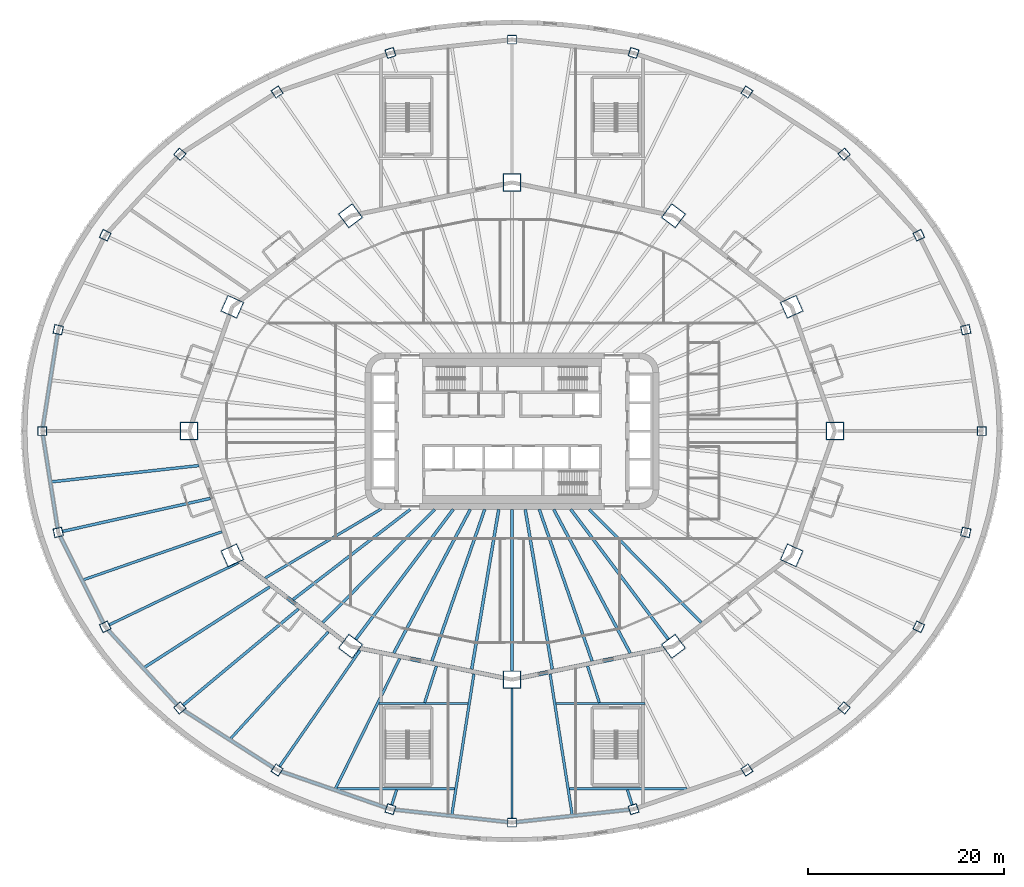
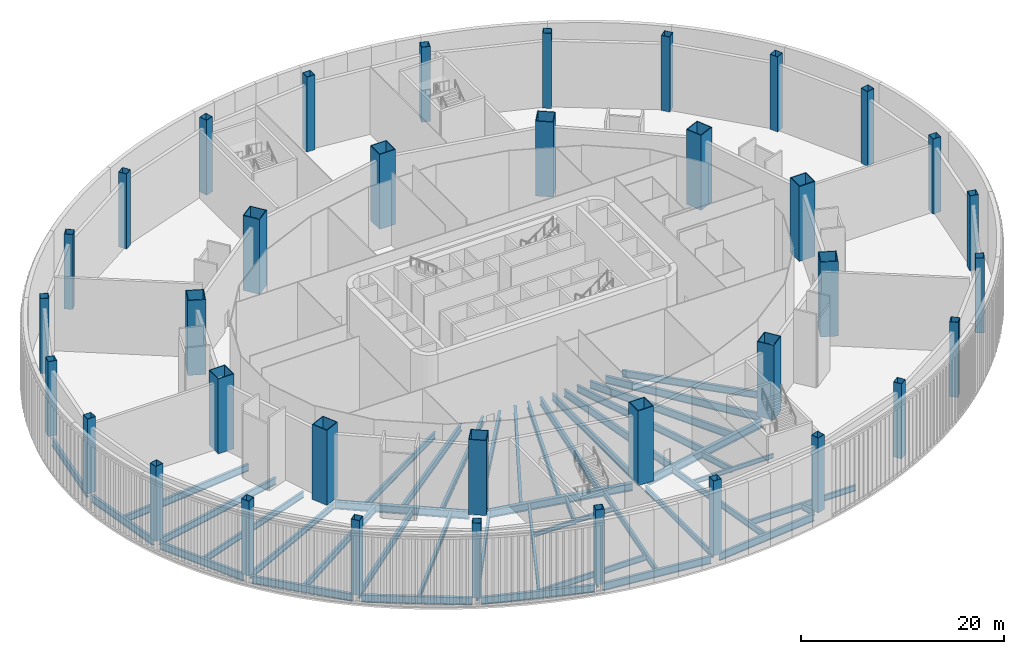
# One storey, part 1 of 35: 44 beams, 36 columns.
"""IFC4 building model written with IfcOpenShell, lengths in metres."""

from ifc_helpers import new_model, si_unit, direction, frame, origin, origin_2d, place, context, subcontext, project, spatial, hollow_rectangle, i_section, extrude, material, material_profile, profile_set, type_object, element, save


model = new_model("IFC4")

# Units and contexts
model_context = context("Model", 3, precision=1e-05, world=origin(), true_north=direction((0.0, 1.0)))
body_context = subcontext(model_context, "Body", "Model", "MODEL_VIEW")
ifc_project = project(units=[si_unit("LENGTHUNIT", "METRE"), si_unit("AREAUNIT", "SQUARE_METRE"), si_unit("VOLUMEUNIT", "CUBIC_METRE"), si_unit("PLANEANGLEUNIT", "RADIAN"), si_unit("MASSUNIT", "GRAM", prefix="KILO")], contexts=[model_context])

# Site, building, storey
site_placement = place(None, origin())
site = spatial("IfcSite", under=ifc_project, at=site_placement, CompositionType="ELEMENT")
building_placement = place(site_placement, origin())
building = spatial("IfcBuilding", under=site, at=building_placement, Name="Sahrelin Media Tower", CompositionType="ELEMENT")
storey_placement = place(building_placement, frame((0.0, 0.0, 17.0)))
storey = spatial("IfcBuildingStorey", under=building, at=storey_placement, Name="L02", CompositionType="ELEMENT", Elevation=17.0)

# Columns
ifc_material_1 = material(Name="Steel S460", Category="steel")
ifc_material_profile_1 = material_profile(ifc_material_1, hollow_rectangle(XDim=1.800048828125, YDim=1.800048828125, WallThickness=0.080078125, at=origin_2d()), Name="Mega column MC1")
ifc_profile_set_1 = profile_set([ifc_material_profile_1], Name="Steel S460")
column_type_1 = type_object("IfcColumnType", Name="Mega column MC1", PredefinedType="COLUMN", material=ifc_profile_set_1)
for number, where, z_axis, x_axis, name in (
    (1, (33.0, 0.0, 0.0), (0.0, 0.0, 1.0), (1.0, 0.0, 0.0), "Mega column MC-00"),
    (2, (28.578857421875, 12.699951171875, 0.0), (0.0, 0.0, 1.0), (0.913831317054, 0.40609398416, 0.0), "Mega column MC-01"),
    (3, (16.5, 21.9970703125, 0.0), (0.0, 0.0, 1.0), (0.600051693363, 0.799961227368, 0.0), "Mega column MC-02"),
    (4, (0.0, 25.39990234375, 0.0), (0.0, 0.0, 1.0), (0.0, 1.0, 0.0), "Mega column MC-03"),
    (5, (-16.5, 21.9970703125, 0.0), (0.0, 0.0, 1.0), (-0.600051693363, 0.799961227368, 0.0), "Mega column MC-04"),
    (6, (-28.578857421875, 12.699951171875, 0.0), (0.0, 0.0, 1.0), (-0.913831317054, 0.40609398416, 0.0), "Mega column MC-05"),
    (7, (-33.0, 0.0, 0.0), (0.0, 0.0, 1.0), (-1.0, 0.0, 0.0), "Mega column MC-06"),
    (8, (-28.578857421875, -12.699951171875, 0.0), (0.0, 0.0, 1.0), (-0.913831317054, -0.40609398416, 0.0), "Mega column MC-07"),
    (9, (-16.5, -21.9970703125, 0.0), (0.0, 0.0, 1.0), (-0.600051693363, -0.799961227368, 0.0), "Mega column MC-08"),
    (10, (0.0, -25.39990234375, 0.0), (0.0, 0.0, 1.0), (0.0, -1.0, 0.0), "Mega column MC-09"),
    (11, (16.5, -21.9970703125, 0.0), (0.0, 0.0, 1.0), (0.600051693363, -0.799961227368, 0.0), "Mega column MC-10"),
    (12, (28.578857421875, -12.699951171875, 0.0), (0.0, 0.0, 1.0), (0.913831317054, -0.40609398416, 0.0), "Mega column MC-11"),
):
    element("IfcColumn", number, at=place(storey_placement, frame(where, z_axis=z_axis, x_axis=x_axis)), inside=storey, type_object=column_type_1, Name=name, PredefinedType="COLUMN", context=body_context, shape_type="SweptSolid", body=[
        extrude(hollow_rectangle(XDim=1.800048828125, YDim=1.800048828125, WallThickness=0.080078125, at=origin_2d()), origin(), (0.0, 0.0, 1.0), 9.0),
    ])
ifc_material_profile_2 = material_profile(ifc_material_1, hollow_rectangle(XDim=0.89990234375, YDim=0.89990234375, WallThickness=0.0400390625, at=origin_2d()), Name="Podium column PC1")
ifc_profile_set_2 = profile_set([ifc_material_profile_2], Name="Steel S460")
column_type_2 = type_object("IfcColumnType", Name="Podium column PC1", PredefinedType="COLUMN", material=ifc_profile_set_2)
for number, where, z_axis, x_axis, name in (
    (13, (48.0, 0.0, 0.0), (0.0, 0.0, 1.0), (1.0, 0.0, 0.0), "Podium column PC-00"),
    (14, (46.364501953125, 10.352783203125, 0.0), (0.0, 0.0, 1.0), (0.975965471253, 0.217925214058, 0.0), "Podium column PC-01"),
    (15, (41.569091796875, 20.0, 0.0), (0.0, 0.0, 1.0), (0.901126969284, 0.433555285089, 0.0), "Podium column PC-02"),
    (16, (33.941162109375, 28.2841796875, 0.0), (0.0, 0.0, 1.0), (0.768220956602, 0.640184787259, 0.0), "Podium column PC-03"),
    (17, (24.0, 34.64111328125, 0.0), (0.0, 0.0, 1.0), (0.569494740726, 0.821994975827, 0.0), "Podium column PC-04"),
    (18, (12.42333984375, 38.636962890625, 0.0), (0.0, 0.0, 1.0), (0.306104074477, 0.951998054404, 0.0), "Podium column PC-05"),
    (19, (0.0, 40.0, 0.0), (0.0, 0.0, 1.0), (0.0, 1.0, 0.0), "Podium column PC-06"),
    (20, (-12.42333984375, 38.636962890625, 0.0), (0.0, 0.0, 1.0), (-0.306104074477, 0.951998054404, 0.0), "Podium column PC-07"),
    (21, (-24.0, 34.64111328125, 0.0), (0.0, 0.0, 1.0), (-0.569494740726, 0.821994975827, 0.0), "Podium column PC-08"),
    (22, (-33.941162109375, 28.2841796875, 0.0), (0.0, 0.0, 1.0), (-0.768220956602, 0.640184787259, 0.0), "Podium column PC-09"),
    (23, (-41.569091796875, 20.0, 0.0), (0.0, 0.0, 1.0), (-0.901126969284, 0.433555285089, 0.0), "Podium column PC-10"),
    (24, (-46.364501953125, 10.352783203125, 0.0), (0.0, 0.0, 1.0), (-0.975965471253, 0.217925214058, 0.0), "Podium column PC-11"),
    (25, (-48.0, 0.0, 0.0), (0.0, 0.0, 1.0), (-1.0, 0.0, 0.0), "Podium column PC-12"),
    (26, (-46.364501953125, -10.352783203125, 0.0), (0.0, 0.0, 1.0), (-0.975965471253, -0.217925214058, 0.0), "Podium column PC-13"),
    (27, (-41.569091796875, -20.0, 0.0), (0.0, 0.0, 1.0), (-0.901126969284, -0.433555285089, 0.0), "Podium column PC-14"),
    (28, (-33.941162109375, -28.2841796875, 0.0), (0.0, 0.0, 1.0), (-0.768220956602, -0.640184787259, 0.0), "Podium column PC-15"),
    (29, (-24.0, -34.64111328125, 0.0), (0.0, 0.0, 1.0), (-0.569494740726, -0.821994975827, 0.0), "Podium column PC-16"),
    (30, (-12.42333984375, -38.636962890625, 0.0), (0.0, 0.0, 1.0), (-0.306104074477, -0.951998054404, 0.0), "Podium column PC-17"),
    (31, (0.0, -40.0, 0.0), (0.0, 0.0, 1.0), (0.0, -1.0, 0.0), "Podium column PC-18"),
    (32, (12.42333984375, -38.636962890625, 0.0), (0.0, 0.0, 1.0), (0.306104074477, -0.951998054404, 0.0), "Podium column PC-19"),
    (33, (24.0, -34.64111328125, 0.0), (0.0, 0.0, 1.0), (0.569494740726, -0.821994975827, 0.0), "Podium column PC-20"),
    (34, (33.941162109375, -28.2841796875, 0.0), (0.0, 0.0, 1.0), (0.768220956602, -0.640184787259, 0.0), "Podium column PC-21"),
    (35, (41.569091796875, -20.0, 0.0), (0.0, 0.0, 1.0), (0.901126969284, -0.433555285089, 0.0), "Podium column PC-22"),
    (36, (46.364501953125, -10.352783203125, 0.0), (0.0, 0.0, 1.0), (0.975965471253, -0.217925214058, 0.0), "Podium column PC-23"),
):
    element("IfcColumn", number, at=place(storey_placement, frame(where, z_axis=z_axis, x_axis=x_axis)), inside=storey, type_object=column_type_2, Name=name, PredefinedType="COLUMN", context=body_context, shape_type="SweptSolid", body=[
        extrude(hollow_rectangle(XDim=0.89990234375, YDim=0.89990234375, WallThickness=0.0400390625, at=origin_2d()), origin(), (0.0, 0.0, 1.0), 9.0),
    ])

# Beams
ifc_material_2 = material(Name="Steel S355", Category="steel")
ifc_material_profile_3 = material_profile(ifc_material_2, i_section(OverallWidth=0.208740234375, OverallDepth=0.5283203125, WebThickness=0.009521484375, FlangeThickness=0.01318359375, FilletRadius=0.0126953125, at=origin_2d()), Name="UB 533x210x82")
ifc_profile_set_3 = profile_set([ifc_material_profile_3], Name="Steel S355")
beam_type_1 = type_object("IfcBeamType", Name="Header beam HB6", PredefinedType="BEAM", material=ifc_profile_set_3)
for number, where, z_axis, x_axis, name in (
    (37, (-13.59814453125, -27.85009765625, -0.464111328125), (1.0, 0.0, 0.0), (0.0, 1.0, 0.0), "Header beam L02-05"),
    (38, (4.50146484375, -27.85009765625, -0.464111328125), (1.0, 0.0, 0.0), (0.0, 1.0, 0.0), "Header beam L02-07"),
):
    element("IfcBeam", number, at=place(storey_placement, frame(where, z_axis=z_axis, x_axis=x_axis)), inside=storey, type_object=beam_type_1, Name=name, PredefinedType="BEAM", context=body_context, shape_type="SweptSolid", body=[
        extrude(i_section(OverallWidth=0.208740234375, OverallDepth=0.5283203125, WebThickness=0.009521484375, FlangeThickness=0.01318359375, FilletRadius=0.0126953125, at=origin_2d()), origin(), (0.0, 0.0, 1.0), 9.0966796875),
    ])
ifc_material_profile_4 = material_profile(ifc_material_2, i_section(OverallWidth=0.2529296875, OverallDepth=0.677978515625, WebThickness=0.01171875, FlangeThickness=0.01611328125, FilletRadius=0.01513671875, at=origin_2d()), Name="UB 686x254x125")
ifc_profile_set_4 = profile_set([ifc_material_profile_4], Name="Steel S355")
beam_type_2 = type_object("IfcBeamType", Name="Header beam HB8", PredefinedType="BEAM", material=ifc_profile_set_4)
for number, where, z_axis, x_axis, name in (
    (39, (-5.86572265625, -36.550048828125, -0.538818359375), (-1.0, 0.0, 0.0), (0.0, -1.0, 0.0), "Header beam L02-06"),
    (40, (17.892333984375, -36.550048828125, -0.538818359375), (-1.0, 0.0, 0.0), (0.0, -1.0, 0.0), "Header beam L02-08"),
):
    element("IfcBeam", number, at=place(storey_placement, frame(where, z_axis=z_axis, x_axis=x_axis)), inside=storey, type_object=beam_type_2, Name=name, PredefinedType="BEAM", context=body_context, shape_type="SweptSolid", body=[
        extrude(i_section(OverallWidth=0.2529296875, OverallDepth=0.677978515625, WebThickness=0.01171875, FlangeThickness=0.01611328125, FilletRadius=0.01513671875, at=origin_2d()), origin(), (0.0, 0.0, 1.0), 12.026611328125),
    ])
ifc_material_profile_5 = material_profile(ifc_material_2, i_section(OverallWidth=0.30322265625, OverallDepth=0.903076171875, WebThickness=0.01513671875, FlangeThickness=0.020263671875, FilletRadius=0.01904296875, at=origin_2d()), Name="UB 914x305x201")
ifc_profile_set_5 = profile_set([ifc_material_profile_5], Name="Steel S355")
beam_type_3 = type_object("IfcBeamType", Name="Podium edge girder PE11", PredefinedType="BEAM", material=ifc_profile_set_5)
for number, where, z_axis, x_axis, name in (
    (41, (-46.434814453125, 9.907470703125, -0.651611328125), (-0.156048991104, -0.987749316565, 0.0), (0.987749316565, -0.156048991104, 0.0), "Podium edge girder L02-12"),
    (42, (-47.928955078125, -0.449951171875, -0.651611328125), (0.156048991104, -0.987749316565, 0.0), (0.987749316565, 0.156048991104, 0.0), "Podium edge girder L02-13"),
):
    element("IfcBeam", number, at=place(storey_placement, frame(where, z_axis=z_axis, x_axis=x_axis)), inside=storey, type_object=beam_type_3, Name=name, PredefinedType="BEAM", context=body_context, shape_type="SweptSolid", body=[
        extrude(i_section(OverallWidth=0.30322265625, OverallDepth=0.903076171875, WebThickness=0.01513671875, FlangeThickness=0.020263671875, FilletRadius=0.01904296875, at=origin_2d()), origin(), (0.0, 0.0, 1.0), 9.57470703125),
    ])
beam_1_placement = place(storey_placement, frame((-46.158203125, -10.767822265625, -0.651611328125), z_axis=(0.445112588569, -0.895474613541, 0.0), x_axis=(0.895474613541, 0.445112588569, 0.0)))
element("IfcBeam", 43, at=beam_1_placement, inside=storey, type_object=beam_type_3, Name="Podium edge girder L02-14", PredefinedType="BEAM", context=body_context, shape_type="SweptSolid", body=[
    extrude(i_section(OverallWidth=0.30322265625, OverallDepth=0.903076171875, WebThickness=0.01513671875, FlangeThickness=0.020263671875, FilletRadius=0.01904296875, at=origin_2d()), origin(), (0.0, 0.0, 1.0), 9.859619140625),
])
beam_2_placement = place(storey_placement, frame((-41.25048828125, -20.34619140625, -0.651611328125), z_axis=(0.677370529771, -0.735642008995, 0.0), x_axis=(0.735642008995, 0.677370529771, 0.0)))
element("IfcBeam", 44, at=beam_2_placement, inside=storey, type_object=beam_type_3, Name="Podium edge girder L02-15", PredefinedType="BEAM", context=body_context, shape_type="SweptSolid", body=[
    extrude(i_section(OverallWidth=0.30322265625, OverallDepth=0.903076171875, WebThickness=0.01513671875, FlangeThickness=0.020263671875, FilletRadius=0.01904296875, at=origin_2d()), origin(), (0.0, 0.0, 1.0), 10.340087890625),
])
beam_3_placement = place(storey_placement, frame((-33.54345703125, -28.53857421875, -0.651611328125), z_axis=(0.842485743715, -0.538718638657, 0.0), x_axis=(0.538718638657, 0.842485743715, 0.0)))
element("IfcBeam", 45, at=beam_3_placement, inside=storey, type_object=beam_type_3, Name="Podium edge girder L02-16", PredefinedType="BEAM", context=body_context, shape_type="SweptSolid", body=[
    extrude(i_section(OverallWidth=0.30322265625, OverallDepth=0.903076171875, WebThickness=0.01513671875, FlangeThickness=0.020263671875, FilletRadius=0.01904296875, at=origin_2d()), origin(), (0.0, 0.0, 1.0), 10.87744140625),
])
beam_4_placement = place(storey_placement, frame((-23.55810546875, -34.79345703125, -0.651611328125), z_axis=(0.94527240249, -0.32628221694, 0.0), x_axis=(0.32628221694, 0.94527240249, 0.0)))
element("IfcBeam", 46, at=beam_4_placement, inside=storey, type_object=beam_type_3, Name="Podium edge girder L02-17", PredefinedType="BEAM", context=body_context, shape_type="SweptSolid", body=[
    extrude(i_section(OverallWidth=0.30322265625, OverallDepth=0.903076171875, WebThickness=0.01513671875, FlangeThickness=0.020263671875, FilletRadius=0.01904296875, at=origin_2d()), origin(), (0.0, 0.0, 1.0), 11.329345703125),
])
for number, where, z_axis, x_axis, name in (
    (47, (-11.966796875, -38.68701171875, -0.651611328125), (0.994034160473, -0.109069188193, 0.0), (0.109069188193, 0.994034160473, 0.0), "Podium edge girder L02-18"),
    (48, (0.449951171875, -39.95068359375, -0.651611328125), (0.994034160473, 0.109069188193, 0.0), (-0.109069188193, 0.994034160473, 0.0), "Podium edge girder L02-19"),
):
    element("IfcBeam", number, at=place(storey_placement, frame(where, z_axis=z_axis, x_axis=x_axis)), inside=storey, type_object=beam_type_3, Name=name, PredefinedType="BEAM", context=body_context, shape_type="SweptSolid", body=[
        extrude(i_section(OverallWidth=0.30322265625, OverallDepth=0.903076171875, WebThickness=0.01513671875, FlangeThickness=0.020263671875, FilletRadius=0.01904296875, at=origin_2d()), origin(), (0.0, 0.0, 1.0), 11.5859375),
    ])
ifc_material_profile_6 = material_profile(ifc_material_2, i_section(OverallWidth=0.41845703125, OverallDepth=0.911865234375, WebThickness=0.019287109375, FlangeThickness=0.031982421875, FilletRadius=0.024169921875, at=origin_2d()), Name="UB 914x419x343")
ifc_profile_set_6 = profile_set([ifc_material_profile_6], Name="Steel S355")
beam_type_4 = type_object("IfcBeamType", Name="Podium ring girder PG12", PredefinedType="BEAM", material=ifc_profile_set_6)
beam_5_placement = place(storey_placement, frame((-27.767578125, -13.324462890625, -0.656005859375), z_axis=(0.792445416108, -0.609942835428, 0.0), x_axis=(0.609942835428, 0.792445416108, 0.0)))
element("IfcBeam", 49, at=beam_5_placement, inside=storey, type_object=beam_type_4, Name="Podium girder L02-08", PredefinedType="BEAM", context=body_context, shape_type="SweptSolid", body=[
    extrude(i_section(OverallWidth=0.41845703125, OverallDepth=0.911865234375, WebThickness=0.019287109375, FlangeThickness=0.031982421875, FilletRadius=0.024169921875, at=origin_2d()), origin(), (0.0, 0.0, 1.0), 13.318603515625),
])
for number, where, z_axis, x_axis, name in (
    (50, (-15.525634765625, -22.197998046875, -0.656005859375), (0.979388513106, -0.201985495508, 0.0), (0.201985495508, 0.979388513106, 0.0), "Podium girder L02-09"),
    (51, (0.89990234375, -25.21435546875, -0.656005859375), (0.979388513106, 0.201985495508, 0.0), (-0.201985495508, 0.979388513106, 0.0), "Podium girder L02-10"),
):
    element("IfcBeam", number, at=place(storey_placement, frame(where, z_axis=z_axis, x_axis=x_axis)), inside=storey, type_object=beam_type_4, Name=name, PredefinedType="BEAM", context=body_context, shape_type="SweptSolid", body=[
        extrude(i_section(OverallWidth=0.41845703125, OverallDepth=0.911865234375, WebThickness=0.019287109375, FlangeThickness=0.031982421875, FilletRadius=0.024169921875, at=origin_2d()), origin(), (0.0, 0.0, 1.0), 14.93359375),
    ])
ifc_material_profile_7 = material_profile(ifc_material_2, i_section(OverallWidth=0.291748046875, OverallDepth=0.8349609375, WebThickness=0.013916015625, FlangeThickness=0.018798828125, FilletRadius=0.017822265625, at=origin_2d()), Name="UB 838x292x176")
ifc_profile_set_7 = profile_set([ifc_material_profile_7], Name="Steel S355")
beam_type_5 = type_object("IfcBeamType", Name="Radial primary beam PB10", PredefinedType="BEAM", material=ifc_profile_set_7)
beam_6_placement = place(storey_placement, frame((-10.393798828125, -8.0, -0.617431640625), z_axis=(-0.79244196099, -0.609947324335, 0.0), x_axis=(0.609947324335, -0.79244196099, 0.0)))
element("IfcBeam", 52, at=beam_6_placement, inside=storey, type_object=beam_type_5, Name="Radial beam L02-16", PredefinedType="BEAM", context=body_context, shape_type="SweptSolid", body=[
    extrude(i_section(OverallWidth=0.291748046875, OverallDepth=0.8349609375, WebThickness=0.013916015625, FlangeThickness=0.018798828125, FilletRadius=0.017822265625, at=origin_2d()), origin(), (0.0, 0.0, 1.0), 15.1103515625),
])
beam_7_placement = place(storey_placement, frame((-2.784912109375, -8.0, -0.617431640625), z_axis=(-0.328776215552, -0.944407856854, 0.0), x_axis=(0.944407856854, -0.328776215552, 0.0)))
element("IfcBeam", 53, at=beam_7_placement, inside=storey, type_object=beam_type_5, Name="Radial beam L02-18", PredefinedType="BEAM", context=body_context, shape_type="SweptSolid", body=[
    extrude(i_section(OverallWidth=0.291748046875, OverallDepth=0.8349609375, WebThickness=0.013916015625, FlangeThickness=0.018798828125, FilletRadius=0.017822265625, at=origin_2d()), origin(), (0.0, 0.0, 1.0), 16.41162109375),
])
beam_8_placement = place(storey_placement, frame((0.0, -8.0, -0.617431640625), z_axis=(0.0, -1.0, 0.0), x_axis=(1.0, 0.0, 0.0)))
element("IfcBeam", 54, at=beam_8_placement, inside=storey, type_object=beam_type_5, Name="Radial beam L02-19", PredefinedType="BEAM", context=body_context, shape_type="SweptSolid", body=[
    extrude(i_section(OverallWidth=0.291748046875, OverallDepth=0.8349609375, WebThickness=0.013916015625, FlangeThickness=0.018798828125, FilletRadius=0.017822265625, at=origin_2d()), origin(), (0.0, 0.0, 1.0), 16.5),
])
beam_9_placement = place(storey_placement, frame((2.784912109375, -8.0, -0.617431640625), z_axis=(0.328776215552, -0.944407856854, 0.0), x_axis=(0.944407856854, 0.328776215552, 0.0)))
element("IfcBeam", 55, at=beam_9_placement, inside=storey, type_object=beam_type_5, Name="Radial beam L02-20", PredefinedType="BEAM", context=body_context, shape_type="SweptSolid", body=[
    extrude(i_section(OverallWidth=0.291748046875, OverallDepth=0.8349609375, WebThickness=0.013916015625, FlangeThickness=0.018798828125, FilletRadius=0.017822265625, at=origin_2d()), origin(), (0.0, 0.0, 1.0), 16.41162109375),
])
beam_10_placement = place(storey_placement, frame((-30.825439453125, -6.883056640625, -0.617431640625), z_axis=(-0.975966755314, -0.217919463385, 0.0), x_axis=(0.217919463385, -0.975966755314, 0.0)))
element("IfcBeam", 56, at=beam_10_placement, inside=storey, type_object=beam_type_5, Name="Radial beam L02-16", PredefinedType="BEAM", context=body_context, shape_type="SweptSolid", body=[
    extrude(i_section(OverallWidth=0.291748046875, OverallDepth=0.8349609375, WebThickness=0.013916015625, FlangeThickness=0.018798828125, FilletRadius=0.017822265625, at=origin_2d()), origin(), (0.0, 0.0, 1.0), 15.4716796875),
])
beam_11_placement = place(storey_placement, frame((-21.809326171875, -18.174560546875, -0.617431640625), z_axis=(-0.768229105739, -0.640175008178, 0.0), x_axis=(0.640175008178, -0.768229105739, 0.0)))
element("IfcBeam", 57, at=beam_11_placement, inside=storey, type_object=beam_type_5, Name="Radial beam L02-18", PredefinedType="BEAM", context=body_context, shape_type="SweptSolid", body=[
    extrude(i_section(OverallWidth=0.291748046875, OverallDepth=0.8349609375, WebThickness=0.013916015625, FlangeThickness=0.018798828125, FilletRadius=0.017822265625, at=origin_2d()), origin(), (0.0, 0.0, 1.0), 15.342041015625),
])
ifc_material_profile_8 = material_profile(ifc_material_2, i_section(OverallWidth=0.30322265625, OverallDepth=0.903076171875, WebThickness=0.01513671875, FlangeThickness=0.020263671875, FilletRadius=0.01904296875, at=origin_2d()), Name="UB 914x305x201")
ifc_profile_set_8 = profile_set([ifc_material_profile_8], Name="Steel S355")
beam_type_6 = type_object("IfcBeamType", Name="Radial primary beam PB11", PredefinedType="BEAM", material=ifc_profile_set_8)
for number, where, z_axis, x_axis, name in (
    (58, (-6.000732421875, -8.0, -0.651611328125), (-0.600054130443, -0.799959399306, 0.0), (0.799959399306, -0.600054130443, 0.0), "Radial beam L02-17"),
    (59, (6.000732421875, -8.0, -0.651611328125), (0.600054130443, -0.799959399306, 0.0), (0.799959399306, 0.600054130443, 0.0), "Radial beam L02-21"),
):
    element("IfcBeam", number, at=place(storey_placement, frame(where, z_axis=z_axis, x_axis=x_axis)), inside=storey, type_object=beam_type_6, Name=name, PredefinedType="BEAM", context=body_context, shape_type="SweptSolid", body=[
        extrude(i_section(OverallWidth=0.30322265625, OverallDepth=0.903076171875, WebThickness=0.01513671875, FlangeThickness=0.020263671875, FilletRadius=0.01904296875, at=origin_2d()), origin(), (0.0, 0.0, 1.0), 16.59716796875),
    ])
ifc_material_profile_9 = material_profile(ifc_material_2, i_section(OverallWidth=0.2529296875, OverallDepth=0.677978515625, WebThickness=0.01171875, FlangeThickness=0.01611328125, FilletRadius=0.01513671875, at=origin_2d()), Name="UB 686x254x125")
ifc_profile_set_9 = profile_set([ifc_material_profile_9], Name="Steel S355")
beam_type_7 = type_object("IfcBeamType", Name="Radial primary beam PB8", PredefinedType="BEAM", material=ifc_profile_set_9)
beam_12_placement = place(storey_placement, frame((0.0, -26.300048828125, -0.538818359375), z_axis=(0.0, -1.0, 0.0), x_axis=(1.0, 0.0, 0.0)))
element("IfcBeam", 60, at=beam_12_placement, inside=storey, type_object=beam_type_7, Name="Radial beam L02-22", PredefinedType="BEAM", context=body_context, shape_type="SweptSolid", body=[
    extrude(i_section(OverallWidth=0.2529296875, OverallDepth=0.677978515625, WebThickness=0.01171875, FlangeThickness=0.01611328125, FilletRadius=0.01513671875, at=origin_2d()), origin(), (0.0, 0.0, 1.0), 13.25),
])
ifc_material_profile_10 = material_profile(ifc_material_2, i_section(OverallWidth=0.26513671875, OverallDepth=0.75390625, WebThickness=0.0126953125, FlangeThickness=0.017578125, FilletRadius=0.0166015625, at=origin_2d()), Name="UB 762x267x147")
ifc_profile_set_10 = profile_set([ifc_material_profile_10], Name="Steel S355")
beam_type_8 = type_object("IfcBeamType", Name="Radial primary beam PB9", PredefinedType="BEAM", material=ifc_profile_set_10)
beam_13_placement = place(storey_placement, frame((-27.950439453125, -13.44775390625, -0.576904296875), z_axis=(-0.901130102072, -0.433548773657, 0.0), x_axis=(0.433548773657, -0.901130102072, 0.0)))
element("IfcBeam", 61, at=beam_13_placement, inside=storey, type_object=beam_type_8, Name="Radial beam L02-17", PredefinedType="BEAM", context=body_context, shape_type="SweptSolid", body=[
    extrude(i_section(OverallWidth=0.26513671875, OverallDepth=0.75390625, WebThickness=0.0126953125, FlangeThickness=0.017578125, FilletRadius=0.0166015625, at=origin_2d()), origin(), (0.0, 0.0, 1.0), 14.6630859375),
])
beam_14_placement = place(storey_placement, frame((-15.527099609375, -22.411376953125, -0.576904296875), z_axis=(-0.569493278726, -0.821995988729, 0.0), x_axis=(0.821995988729, -0.569493278726, 0.0)))
element("IfcBeam", 62, at=beam_14_placement, inside=storey, type_object=beam_type_8, Name="Radial beam L02-19", PredefinedType="BEAM", context=body_context, shape_type="SweptSolid", body=[
    extrude(i_section(OverallWidth=0.26513671875, OverallDepth=0.75390625, WebThickness=0.0126953125, FlangeThickness=0.017578125, FilletRadius=0.0166015625, at=origin_2d()), origin(), (0.0, 0.0, 1.0), 14.427734375),
])
beam_15_placement = place(storey_placement, frame((-7.7236328125, -24.020751953125, -0.576904296875), z_axis=(-0.30607575523, -0.952007159669, 0.0), x_axis=(0.952007159669, -0.30607575523, 0.0)))
element("IfcBeam", 63, at=beam_15_placement, inside=storey, type_object=beam_type_8, Name="Radial beam L02-20", PredefinedType="BEAM", context=body_context, shape_type="SweptSolid", body=[
    extrude(i_section(OverallWidth=0.26513671875, OverallDepth=0.75390625, WebThickness=0.0126953125, FlangeThickness=0.017578125, FilletRadius=0.0166015625, at=origin_2d()), origin(), (0.0, 0.0, 1.0), 3.917236328125),
])
beam_16_placement = place(storey_placement, frame((-11.784423828125, -36.64990234375, -0.576904296875), z_axis=(-0.306144333921, -0.951985108501, 0.0), x_axis=(0.951985108501, -0.306144333921, 0.0)))
element("IfcBeam", 64, at=beam_16_placement, inside=storey, type_object=beam_type_8, Name="Radial beam L02-21", PredefinedType="BEAM", context=body_context, shape_type="SweptSolid", body=[
    extrude(i_section(OverallWidth=0.26513671875, OverallDepth=0.75390625, WebThickness=0.0126953125, FlangeThickness=0.017578125, FilletRadius=0.0166015625, at=origin_2d()), origin(), (0.0, 0.0, 1.0), 1.63720703125),
])
beam_17_placement = place(storey_placement, frame((7.7236328125, -24.020751953125, -0.576904296875), z_axis=(0.30607575523, -0.952007159669, 0.0), x_axis=(0.952007159669, 0.30607575523, 0.0)))
element("IfcBeam", 65, at=beam_17_placement, inside=storey, type_object=beam_type_8, Name="Radial beam L02-23", PredefinedType="BEAM", context=body_context, shape_type="SweptSolid", body=[
    extrude(i_section(OverallWidth=0.26513671875, OverallDepth=0.75390625, WebThickness=0.0126953125, FlangeThickness=0.017578125, FilletRadius=0.0166015625, at=origin_2d()), origin(), (0.0, 0.0, 1.0), 3.917236328125),
])
beam_18_placement = place(storey_placement, frame((11.784423828125, -36.64990234375, -0.576904296875), z_axis=(0.306144333921, -0.951985108501, 0.0), x_axis=(0.951985108501, 0.306144333921, 0.0)))
element("IfcBeam", 66, at=beam_18_placement, inside=storey, type_object=beam_type_8, Name="Radial beam L02-24", PredefinedType="BEAM", context=body_context, shape_type="SweptSolid", body=[
    extrude(i_section(OverallWidth=0.26513671875, OverallDepth=0.75390625, WebThickness=0.0126953125, FlangeThickness=0.017578125, FilletRadius=0.0166015625, at=origin_2d()), origin(), (0.0, 0.0, 1.0), 1.63720703125),
])
ifc_material_profile_11 = material_profile(ifc_material_2, i_section(OverallWidth=0.291748046875, OverallDepth=0.8349609375, WebThickness=0.013916015625, FlangeThickness=0.018798828125, FilletRadius=0.017822265625, at=origin_2d()), Name="UB 838x292x176")
ifc_profile_set_11 = profile_set([ifc_material_profile_11], Name="Steel S355")
beam_type_9 = type_object("IfcBeamType", Name="Radial secondary beam SB10", PredefinedType="BEAM", material=ifc_profile_set_11)
for number, where, z_axis, x_axis, name in (
    (67, (-7.901123046875, -8.0, -0.617431640625), (-0.702706329063, -0.711480017355, 0.0), (0.711480017355, -0.702706329063, 0.0), "Secondary beam L02-16"),
    (68, (7.901123046875, -8.0, -0.617431640625), (0.702706329063, -0.711480017355, 0.0), (0.711480017355, 0.702706329063, 0.0), "Secondary beam L02-21"),
):
    element("IfcBeam", number, at=place(storey_placement, frame(where, z_axis=z_axis, x_axis=x_axis)), inside=storey, type_object=beam_type_9, Name=name, PredefinedType="BEAM", context=body_context, shape_type="SweptSolid", body=[
        extrude(i_section(OverallWidth=0.291748046875, OverallDepth=0.8349609375, WebThickness=0.013916015625, FlangeThickness=0.018798828125, FilletRadius=0.017822265625, at=origin_2d()), origin(), (0.0, 0.0, 1.0), 16.250732421875),
    ])
beam_19_placement = place(storey_placement, frame((-31.9931640625, -3.528564453125, -0.617431640625), z_axis=(-0.993973950123, -0.109616542901, 0.0), x_axis=(0.109616542901, -0.993973950123, 0.0)))
element("IfcBeam", 69, at=beam_19_placement, inside=storey, type_object=beam_type_9, Name="Secondary beam L02-13", PredefinedType="BEAM", context=body_context, shape_type="SweptSolid", body=[
    extrude(i_section(OverallWidth=0.291748046875, OverallDepth=0.8349609375, WebThickness=0.013916015625, FlangeThickness=0.018798828125, FilletRadius=0.017822265625, at=origin_2d()), origin(), (0.0, 0.0, 1.0), 15.125),
])
beam_20_placement = place(storey_placement, frame((-24.744140625, -15.91552734375, -0.617431640625), z_axis=(-0.84104292767, -0.540968385228, 0.0), x_axis=(0.540968385228, -0.84104292767, 0.0)))
element("IfcBeam", 70, at=beam_20_placement, inside=storey, type_object=beam_type_9, Name="Secondary beam L02-15", PredefinedType="BEAM", context=body_context, shape_type="SweptSolid", body=[
    extrude(i_section(OverallWidth=0.291748046875, OverallDepth=0.8349609375, WebThickness=0.013916015625, FlangeThickness=0.018798828125, FilletRadius=0.017822265625, at=origin_2d()), origin(), (0.0, 0.0, 1.0), 15.218505859375),
])
ifc_material_profile_12 = material_profile(ifc_material_2, i_section(OverallWidth=0.30322265625, OverallDepth=0.903076171875, WebThickness=0.01513671875, FlangeThickness=0.020263671875, FilletRadius=0.01904296875, at=origin_2d()), Name="UB 914x305x201")
ifc_profile_set_12 = profile_set([ifc_material_profile_12], Name="Steel S355")
beam_type_10 = type_object("IfcBeamType", Name="Radial secondary beam SB11", PredefinedType="BEAM", material=ifc_profile_set_12)
beam_21_placement = place(storey_placement, frame((-4.259765625, -8.0, -0.651611328125), z_axis=(-0.469997453325, -0.882667770947, 0.0), x_axis=(0.882667770947, -0.469997453325, 0.0)))
element("IfcBeam", 71, at=beam_21_placement, inside=storey, type_object=beam_type_10, Name="Secondary beam L02-17", PredefinedType="BEAM", context=body_context, shape_type="SweptSolid", body=[
    extrude(i_section(OverallWidth=0.30322265625, OverallDepth=0.903076171875, WebThickness=0.01513671875, FlangeThickness=0.020263671875, FilletRadius=0.01904296875, at=origin_2d()), origin(), (0.0, 0.0, 1.0), 16.6474609375),
])
for number, where, z_axis, x_axis, name in (
    (72, (-1.352783203125, -8.0, -0.651611328125), (-0.166704262426, -0.986006941603, 0.0), (0.986006941603, -0.166704262426, 0.0), "Secondary beam L02-18"),
    (73, (1.352783203125, -8.0, -0.651611328125), (0.166704262426, -0.986006941603, 0.0), (0.986006941603, 0.166704262426, 0.0), "Secondary beam L02-19"),
):
    element("IfcBeam", number, at=place(storey_placement, frame(where, z_axis=z_axis, x_axis=x_axis)), inside=storey, type_object=beam_type_10, Name=name, PredefinedType="BEAM", context=body_context, shape_type="SweptSolid", body=[
        extrude(i_section(OverallWidth=0.30322265625, OverallDepth=0.903076171875, WebThickness=0.01513671875, FlangeThickness=0.020263671875, FilletRadius=0.01904296875, at=origin_2d()), origin(), (0.0, 0.0, 1.0), 16.569580078125),
    ])
beam_22_placement = place(storey_placement, frame((4.259765625, -8.0, -0.651611328125), z_axis=(0.469997453325, -0.882667770947, 0.0), x_axis=(0.882667770947, 0.469997453325, 0.0)))
element("IfcBeam", 74, at=beam_22_placement, inside=storey, type_object=beam_type_10, Name="Secondary beam L02-20", PredefinedType="BEAM", context=body_context, shape_type="SweptSolid", body=[
    extrude(i_section(OverallWidth=0.30322265625, OverallDepth=0.903076171875, WebThickness=0.01513671875, FlangeThickness=0.020263671875, FilletRadius=0.01904296875, at=origin_2d()), origin(), (0.0, 0.0, 1.0), 16.6474609375),
])
ifc_material_profile_13 = material_profile(ifc_material_2, i_section(OverallWidth=0.26513671875, OverallDepth=0.75390625, WebThickness=0.0126953125, FlangeThickness=0.017578125, FilletRadius=0.0166015625, at=origin_2d()), Name="UB 762x267x147")
ifc_profile_set_13 = profile_set([ifc_material_profile_13], Name="Steel S355")
beam_type_11 = type_object("IfcBeamType", Name="Radial secondary beam SB9", PredefinedType="BEAM", material=ifc_profile_set_13)
beam_23_placement = place(storey_placement, frame((-13.356201171875, -7.953125, -0.576904296875), z_axis=(-0.859199265621, -0.511641106594, 0.0), x_axis=(0.511641106594, -0.859199265621, 0.0)))
element("IfcBeam", 75, at=beam_23_placement, inside=storey, type_object=beam_type_11, Name="Secondary beam L02-15", PredefinedType="BEAM", context=body_context, shape_type="SweptSolid", body=[
    extrude(i_section(OverallWidth=0.26513671875, OverallDepth=0.75390625, WebThickness=0.0126953125, FlangeThickness=0.017578125, FilletRadius=0.0166015625, at=origin_2d()), origin(), (0.0, 0.0, 1.0), 13.810791015625),
])
beam_24_placement = place(storey_placement, frame((-29.640380859375, -10.287109375, -0.576904296875), z_axis=(-0.944713020182, -0.32789832189, 0.0), x_axis=(0.32789832189, -0.944713020182, 0.0)))
element("IfcBeam", 76, at=beam_24_placement, inside=storey, type_object=beam_type_11, Name="Secondary beam L02-14", PredefinedType="BEAM", context=body_context, shape_type="SweptSolid", body=[
    extrude(i_section(OverallWidth=0.26513671875, OverallDepth=0.75390625, WebThickness=0.0126953125, FlangeThickness=0.017578125, FilletRadius=0.0166015625, at=origin_2d()), origin(), (0.0, 0.0, 1.0), 14.974609375),
])
beam_25_placement = place(storey_placement, frame((-18.7685546875, -20.514892578125, -0.576904296875), z_axis=(-0.675004282666, -0.737813810106, 0.0), x_axis=(0.737813810106, -0.675004282666, 0.0)))
element("IfcBeam", 77, at=beam_25_placement, inside=storey, type_object=beam_type_11, Name="Secondary beam L02-16", PredefinedType="BEAM", context=body_context, shape_type="SweptSolid", body=[
    extrude(i_section(OverallWidth=0.26513671875, OverallDepth=0.75390625, WebThickness=0.0126953125, FlangeThickness=0.017578125, FilletRadius=0.0166015625, at=origin_2d()), origin(), (0.0, 0.0, 1.0), 14.7861328125),
])
beam_26_placement = place(storey_placement, frame((-11.47412109375, -23.247314453125, -0.576904296875), z_axis=(-0.442602611298, -0.896717864477, 0.0), x_axis=(0.896717864477, -0.442602611298, 0.0)))
element("IfcBeam", 78, at=beam_26_placement, inside=storey, type_object=beam_type_11, Name="Secondary beam L02-17", PredefinedType="BEAM", context=body_context, shape_type="SweptSolid", body=[
    extrude(i_section(OverallWidth=0.26513671875, OverallDepth=0.75390625, WebThickness=0.0126953125, FlangeThickness=0.017578125, FilletRadius=0.0166015625, at=origin_2d()), origin(), (0.0, 0.0, 1.0), 14.8232421875),
])
for number, where, z_axis, x_axis, name in (
    (79, (-3.890869140625, -24.811279296875, -0.576904296875), (-0.154919883605, -0.987927036609, 0.0), (0.987927036609, -0.154919883605, 0.0), "Secondary beam L02-18"),
    (80, (3.890869140625, -24.811279296875, -0.576904296875), (0.154919883605, -0.987927036609, 0.0), (0.987927036609, 0.154919883605, 0.0), "Secondary beam L02-19"),
):
    element("IfcBeam", number, at=place(storey_placement, frame(where, z_axis=z_axis, x_axis=x_axis)), inside=storey, type_object=beam_type_11, Name=name, PredefinedType="BEAM", context=body_context, shape_type="SweptSolid", body=[
        extrude(i_section(OverallWidth=0.26513671875, OverallDepth=0.75390625, WebThickness=0.0126953125, FlangeThickness=0.017578125, FilletRadius=0.0166015625, at=origin_2d()), origin(), (0.0, 0.0, 1.0), 14.537841796875),
    ])

save(model, "model.ifc")
